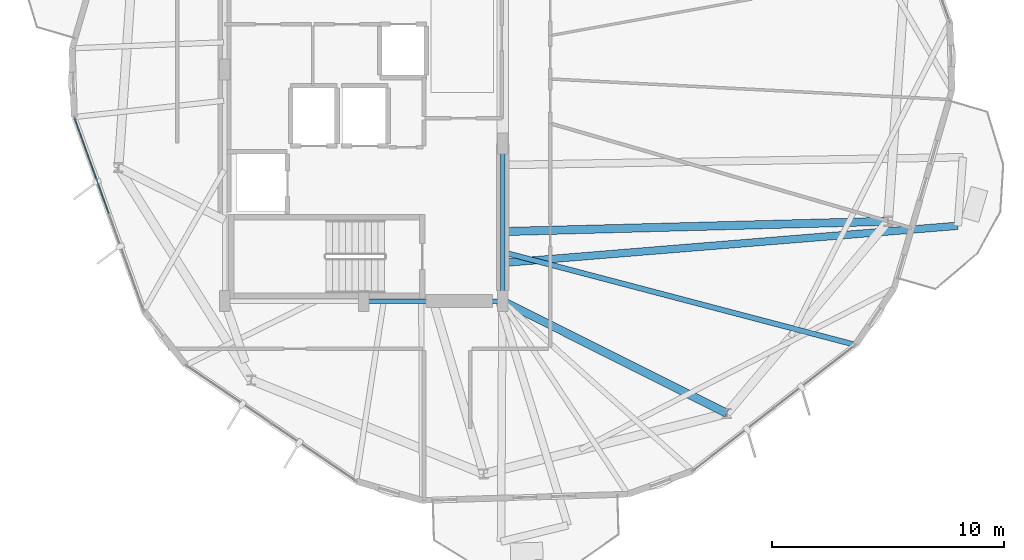
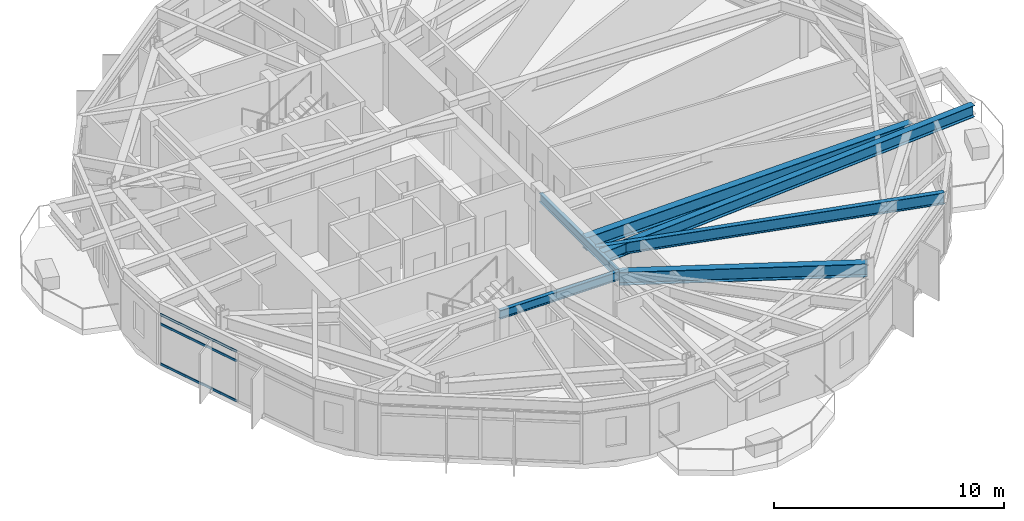
# One storey, part 6 of 23: 6 beams, 3 members, 1 element without a shape of its own.
"""IFC4 building model written with IfcOpenShell, lengths in metres."""

from ifc_helpers import new_model, si_unit, direction, frame, origin, origin_2d, place, context, subcontext, project, spatial, hollow_rectangle, i_section, extrude, material, layer, layer_set, material_profile, profile_set, type_object, element, aggregate, save


model = new_model("IFC4")

# Units and contexts
model_context = context("Model", 3, precision=1e-05, world=origin(), true_north=direction((0.0, 1.0)))
body_context = subcontext(model_context, "Body", "Model", "MODEL_VIEW")
ifc_project = project(units=[si_unit("LENGTHUNIT", "METRE"), si_unit("AREAUNIT", "SQUARE_METRE"), si_unit("VOLUMEUNIT", "CUBIC_METRE"), si_unit("PLANEANGLEUNIT", "RADIAN"), si_unit("MASSUNIT", "GRAM", prefix="KILO")], contexts=[model_context])

# Site, building, storey
site_placement = place(None, origin())
site = spatial("IfcSite", under=ifc_project, at=site_placement, CompositionType="ELEMENT")
building_placement = place(site_placement, origin())
building = spatial("IfcBuilding", under=site, at=building_placement, Name="Soratama Intermodal Tower", CompositionType="ELEMENT")
storey_placement = place(building_placement, frame((0.0, 0.0, 171.39990234375)))
storey = spatial("IfcBuildingStorey", under=building, at=storey_placement, Name="L42", CompositionType="ELEMENT", Elevation=171.39990234375)

# Beams
ifc_material_1 = material(Name="Structural steel ASTM A992 Grade 50", Category="steel")
ifc_material_profile_1 = material_profile(ifc_material_1, i_section(OverallWidth=0.324951171875, OverallDepth=0.615966796875, WebThickness=0.013916015625, FlangeThickness=0.021484375, FilletRadius=0.013916015625, at=origin_2d()), Name="W24X117")
ifc_profile_set_1 = profile_set([ifc_material_profile_1], Name="Structural steel ASTM A992 Grade 50")
beam_type_1 = type_object("IfcBeamType", Name="BM-CANT-W24X117", PredefinedType="BEAM", material=ifc_profile_set_1)
beam_1_placement = place(storey_placement, frame((44.639892578125, 16.65087890625, 2.9921875), z_axis=(0.996683259461, 0.081378623178, 0.0), x_axis=(-0.081378623178, 0.996683259461, 0.0)))
element("IfcBeam", 1, at=beam_1_placement, inside=storey, type_object=beam_type_1, Name="BM-L42-CANT-1-1", PredefinedType="BEAM", context=body_context, shape_type="SweptSolid", body=[
    extrude(i_section(OverallWidth=0.324951171875, OverallDepth=0.615966796875, WebThickness=0.013916015625, FlangeThickness=0.021484375, FilletRadius=0.013916015625, at=origin_2d()), origin(), (0.0, 0.0, 1.0), 19.662353515625),
])
ifc_material_2 = material(Name="Structural steel ASTM A992 Grade 50", Category="steel")
ifc_material_profile_2 = material_profile(ifc_material_2, i_section(OverallWidth=0.19091796875, OverallDepth=0.4599609375, WebThickness=0.010009765625, FlangeThickness=0.01611328125, FilletRadius=0.010986328125, at=origin_2d()), Name="W18X55")
ifc_profile_set_2 = profile_set([ifc_material_profile_2], Name="Structural steel ASTM A992 Grade 50")
beam_type_2 = type_object("IfcBeamType", Name="BM-FLR-W18X55", PredefinedType="BEAM", material=ifc_profile_set_2)
beam_2_placement = place(storey_placement, frame((38.60009765625, 15.0, 3.070068359375), z_axis=(1.0, 0.0, 0.0), x_axis=(0.0, 1.0, 0.0)))
element("IfcBeam", 2, at=beam_2_placement, inside=storey, type_object=beam_type_2, Name="BM-L42-CRING-02", PredefinedType="BEAM", context=body_context, shape_type="SweptSolid", body=[
    extrude(i_section(OverallWidth=0.19091796875, OverallDepth=0.4599609375, WebThickness=0.010009765625, FlangeThickness=0.01611328125, FilletRadius=0.010986328125, at=origin_2d()), origin(), (0.0, 0.0, 1.0), 6.0),
])
beam_3_placement = place(storey_placement, frame((44.60009765625, 15.0, 3.070068359375), z_axis=(0.0, 1.0, 0.0), x_axis=(-1.0, 0.0, 0.0)))
element("IfcBeam", 3, at=beam_3_placement, inside=storey, type_object=beam_type_2, Name="BM-L42-CRING-03", PredefinedType="BEAM", context=body_context, shape_type="SweptSolid", body=[
    extrude(i_section(OverallWidth=0.19091796875, OverallDepth=0.4599609375, WebThickness=0.010009765625, FlangeThickness=0.01611328125, FilletRadius=0.010986328125, at=origin_2d()), origin(), (0.0, 0.0, 1.0), 6.800048828125),
])
ifc_material_3 = material(Name="Structural steel ASTM A992 Grade 50", Category="steel")
ifc_material_profile_3 = material_profile(ifc_material_3, i_section(OverallWidth=0.35498046875, OverallDepth=0.695068359375, WebThickness=0.015380859375, FlangeThickness=0.02490234375, FilletRadius=0.01611328125, at=origin_2d()), Name="W27X146")
ifc_profile_set_3 = profile_set([ifc_material_profile_3], Name="Structural steel ASTM A992 Grade 50")
beam_type_3 = type_object("IfcBeamType", Name="BM-RING-W27X146", PredefinedType="BEAM", material=ifc_profile_set_3)
beam_4_placement = place(storey_placement, frame((44.60009765625, 15.0, 2.95263671875), z_axis=(0.894273669201, -0.447520507434, 0.0), x_axis=(0.447520507434, 0.894273669201, 0.0)))
element("IfcBeam", 4, at=beam_4_placement, inside=storey, type_object=beam_type_3, Name="BM-L42-RAD-09", PredefinedType="BEAM", context=body_context, shape_type="SweptSolid", body=[
    extrude(i_section(OverallWidth=0.35498046875, OverallDepth=0.695068359375, WebThickness=0.015380859375, FlangeThickness=0.02490234375, FilletRadius=0.01611328125, at=origin_2d()), origin(), (0.0, 0.0, 1.0), 10.817626953125),
])
beam_5_placement = place(storey_placement, frame((44.60009765625, 18.0, 2.95263671875), z_axis=(0.999643459503, 0.026701196077, 0.0), x_axis=(-0.026701196077, 0.999643459503, 0.0)))
element("IfcBeam", 5, at=beam_5_placement, inside=storey, type_object=beam_type_3, Name="BM-L42-RAD-10", PredefinedType="BEAM", context=body_context, shape_type="SweptSolid", body=[
    extrude(i_section(OverallWidth=0.35498046875, OverallDepth=0.695068359375, WebThickness=0.015380859375, FlangeThickness=0.02490234375, FilletRadius=0.01611328125, at=origin_2d()), origin(), (0.0, 0.0, 1.0), 16.6318359375),
])
ifc_material_4 = material(Name="Structural steel ASTM A992 Grade 50", Category="steel")
ifc_material_profile_4 = material_profile(ifc_material_4, i_section(OverallWidth=0.22900390625, OverallDepth=0.612060546875, WebThickness=0.011962890625, FlangeThickness=0.01953125, FilletRadius=0.012939453125, at=origin_2d()), Name="W24X84")
ifc_profile_set_4 = profile_set([ifc_material_profile_4], Name="Structural steel ASTM A992 Grade 50")
beam_type_4 = type_object("IfcBeamType", Name="BM-TIE-W24X84", PredefinedType="BEAM", material=ifc_profile_set_4)
beam_6_placement = place(storey_placement, frame((44.638916015625, 17.10302734375, 2.994140625), z_axis=(0.967115819248, -0.254336376006, 0.0), x_axis=(0.254336376006, 0.967115819248, 0.0)))
element("IfcBeam", 6, at=beam_6_placement, inside=storey, type_object=beam_type_4, Name="BM-L42-TIE1-08", PredefinedType="BEAM", context=body_context, shape_type="SweptSolid", body=[
    extrude(i_section(OverallWidth=0.22900390625, OverallDepth=0.612060546875, WebThickness=0.011962890625, FlangeThickness=0.01953125, FilletRadius=0.012939453125, at=origin_2d()), origin(), (0.0, 0.0, 1.0), 15.699462890625),
])

# Curtain wall, members
ifc_material_5 = material(Name="Double-glazed aluminium curtain wall", Category="aluminium")
ifc_layer = layer(ifc_material_5, 0.159912109375)
ifc_layer_set = layer_set([ifc_layer], Name="Double-glazed aluminium curtain wall")
curtain_wall_type = type_object("IfcCurtainWallType", Name="CW-SYS-4", PredefinedType="NOTDEFINED", material=ifc_layer_set)
curtain_wall_placement = place(storey_placement, origin())
curtain_wall = element("IfcCurtainWall", 7, at=curtain_wall_placement, inside=storey, type_object=curtain_wall_type, Name="L42 Faceted Curtain Wall F05", PredefinedType="NOTDEFINED")
ifc_material_6 = material(Name="Anodised aluminium AA 6063-T6", Category="aluminium")
ifc_material_profile_5 = material_profile(ifc_material_6, hollow_rectangle(XDim=0.06005859375, YDim=0.1298828125, WallThickness=0.0048828125, InnerFilletRadius=0.0048828125, OuterFilletRadius=0.010009765625, at=origin_2d()), Name="CWT130X60X5")
ifc_profile_set_5 = profile_set([ifc_material_profile_5], Name="Anodised aluminium AA 6063-T6")
member_type = type_object("IfcMemberType", Name="TT-CWT-2", PredefinedType="USERDEFINED", material=ifc_profile_set_5)
member_1_placement = place(storey_placement, frame((26.1298828125, 22.8857421875, 0.030029296875), z_axis=(0.337764122931, -0.941230788522, 0.0), x_axis=(0.941230788522, 0.337764122931, 0.0)))
member_1 = element("IfcMember", 8, at=member_1_placement, type_object=member_type, Name="CW-4 transom 1.1", ObjectType="TRANSOM", PredefinedType="USERDEFINED", context=body_context, shape_type="SweptSolid", body=[
    extrude(hollow_rectangle(XDim=0.06005859375, YDim=0.1298828125, WallThickness=0.0048828125, InnerFilletRadius=0.0048828125, OuterFilletRadius=0.010009765625, at=origin_2d()), origin(), (0.0, 0.0, 1.0), 4.353515625),
])
member_2_placement = place(storey_placement, frame((26.1298828125, 22.8857421875, 2.150146484375), z_axis=(0.337764122931, -0.941230788522, 0.0), x_axis=(0.941230788522, 0.337764122931, 0.0)))
member_2 = element("IfcMember", 9, at=member_2_placement, type_object=member_type, Name="CW-4 transom 1.2", ObjectType="TRANSOM", PredefinedType="USERDEFINED", context=body_context, shape_type="SweptSolid", body=[
    extrude(hollow_rectangle(XDim=0.06005859375, YDim=0.1298828125, WallThickness=0.0048828125, InnerFilletRadius=0.0048828125, OuterFilletRadius=0.010009765625, at=origin_2d()), origin(), (0.0, 0.0, 1.0), 4.353515625),
])
member_3_placement = place(storey_placement, frame((26.1298828125, 22.8857421875, 2.649169921875), z_axis=(0.337764122931, -0.941230788522, 0.0), x_axis=(0.941230788522, 0.337764122931, 0.0)))
member_3 = element("IfcMember", 10, at=member_3_placement, type_object=member_type, Name="CW-4 transom 1.3", ObjectType="TRANSOM", PredefinedType="USERDEFINED", context=body_context, shape_type="SweptSolid", body=[
    extrude(hollow_rectangle(XDim=0.06005859375, YDim=0.1298828125, WallThickness=0.0048828125, InnerFilletRadius=0.0048828125, OuterFilletRadius=0.010009765625, at=origin_2d()), origin(), (0.0, 0.0, 1.0), 4.353515625),
])
aggregate(curtain_wall, [member_1, member_2, member_3])

save(model, "model.ifc")
